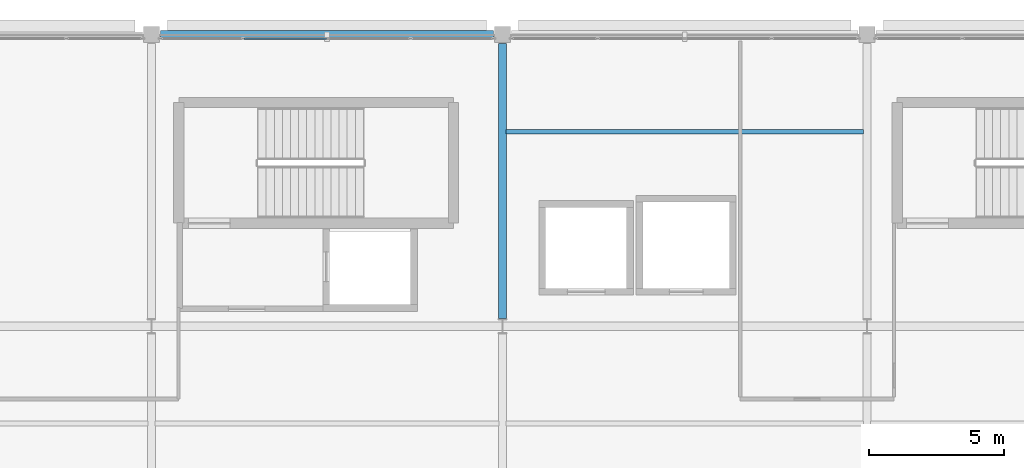
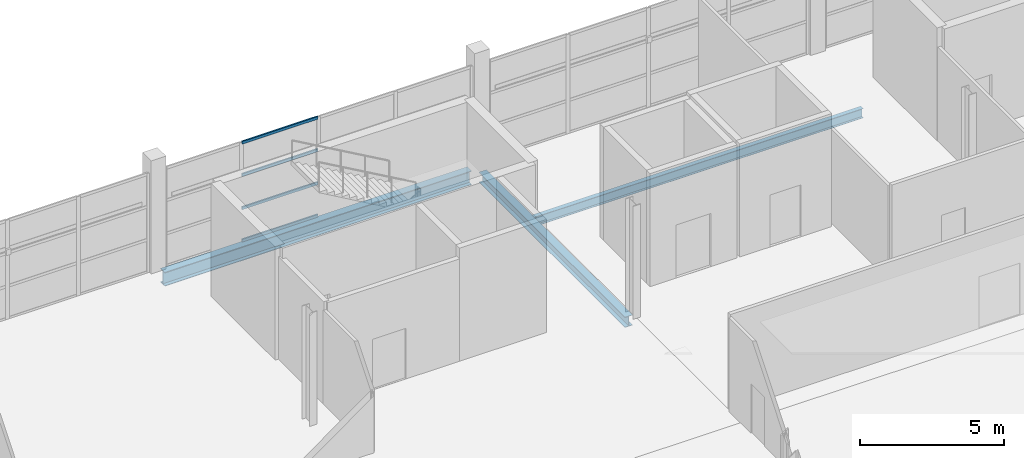
# One storey, part 103 of 134: 4 members, 3 beams, 1 element without a shape of its own.
"""IFC4 building model written with IfcOpenShell, lengths in metres."""

from ifc_helpers import new_model, si_unit, direction, frame, origin, origin_2d, place, context, subcontext, project, spatial, hollow_rectangle, i_section, extrude, material, layer, layer_set, material_profile, profile_set, type_object, element, aggregate, save


model = new_model("IFC4")

# Units and contexts
model_context = context("Model", 3, precision=1e-05, world=origin(), true_north=direction((0.0, 1.0)))
body_context = subcontext(model_context, "Body", "Model", "MODEL_VIEW")
ifc_project = project(units=[si_unit("LENGTHUNIT", "METRE"), si_unit("AREAUNIT", "SQUARE_METRE"), si_unit("VOLUMEUNIT", "CUBIC_METRE"), si_unit("PLANEANGLEUNIT", "RADIAN"), si_unit("MASSUNIT", "GRAM", prefix="KILO")], contexts=[model_context])

# Site, building, storey
site_placement = place(None, origin())
site = spatial("IfcSite", under=ifc_project, at=site_placement, CompositionType="ELEMENT")
building_placement = place(site_placement, origin())
building = spatial("IfcBuilding", under=site, at=building_placement, Name="Tamarisk Ironworks Central Station", CompositionType="ELEMENT")
storey_placement = place(building_placement, frame((0.0, 0.0, 12.60009765625)))
storey = spatial("IfcBuildingStorey", under=building, at=storey_placement, Name="L02", CompositionType="ELEMENT", Elevation=12.60009765625)

# Beams
ifc_material_1 = material(Name="Structural steel S355J2", Category="steel")
ifc_material_profile_1 = material_profile(ifc_material_1, i_section(OverallWidth=0.179931640625, OverallDepth=0.39990234375, WebThickness=0.008544921875, FlangeThickness=0.013427734375, at=origin_2d()), Name="IPE 400")
ifc_profile_set_1 = profile_set([ifc_material_profile_1], Name="Structural steel S355J2")
beam_type_1 = type_object("IfcBeamType", Name="BM-B04", PredefinedType="BEAM", material=ifc_profile_set_1)
beam_1_placement = place(storey_placement, frame((153.135009765625, 118.800048828125, -0.4501953125), z_axis=(1.0, 0.0, 0.0), x_axis=(0.0, 1.0, 0.0)))
element("IfcBeam", 1, at=beam_1_placement, inside=storey, type_object=beam_type_1, Name="L02 secondary composite beam 0173", PredefinedType="BEAM", context=body_context, shape_type="SweptSolid", body=[
    extrude(i_section(OverallWidth=0.179931640625, OverallDepth=0.39990234375, WebThickness=0.008544921875, FlangeThickness=0.013427734375, at=origin_2d()), origin(), (0.0, 0.0, 1.0), 13.22998046875),
])
ifc_material_profile_2 = material_profile(ifc_material_1, i_section(OverallWidth=0.300048828125, OverallDepth=0.590087890625, WebThickness=0.012939453125, FlangeThickness=0.02490234375, at=origin_2d()), Name="HEA 600")
ifc_profile_set_2 = profile_set([ifc_material_profile_2], Name="Structural steel S355J2")
beam_type_2 = type_object("IfcBeamType", Name="BM-G03", PredefinedType="BEAM", material=ifc_profile_set_2)
beam_2_placement = place(storey_placement, frame((140.337890625, 122.39990234375, -0.545166015625), z_axis=(1.0, 0.0, 0.0), x_axis=(0.0, 1.0, 0.0)))
element("IfcBeam", 2, at=beam_2_placement, inside=storey, type_object=beam_type_2, Name="L02 primary girder X-0413", PredefinedType="BEAM", context=body_context, shape_type="SweptSolid", body=[
    extrude(i_section(OverallWidth=0.300048828125, OverallDepth=0.590087890625, WebThickness=0.012939453125, FlangeThickness=0.02490234375, at=origin_2d()), origin(), (0.0, 0.0, 1.0), 12.32421875),
])
ifc_material_profile_3 = material_profile(ifc_material_1, i_section(OverallWidth=0.300048828125, OverallDepth=0.43994140625, WebThickness=0.011474609375, FlangeThickness=0.02099609375, at=origin_2d()), Name="HEA 450")
ifc_profile_set_3 = profile_set([ifc_material_profile_3], Name="Structural steel S355J2")
beam_type_3 = type_object("IfcBeamType", Name="BM-G06", PredefinedType="BEAM", material=ifc_profile_set_3)
beam_3_placement = place(storey_placement, frame((153.0, 111.887939453125, -0.47021484375), z_axis=(0.0, 1.0, 0.0), x_axis=(-1.0, 0.0, 0.0)))
element("IfcBeam", 3, at=beam_3_placement, inside=storey, type_object=beam_type_3, Name="L02 primary girder Y-0520", PredefinedType="BEAM", context=body_context, shape_type="SweptSolid", body=[
    extrude(i_section(OverallWidth=0.300048828125, OverallDepth=0.43994140625, WebThickness=0.011474609375, FlangeThickness=0.02099609375, at=origin_2d()), origin(), (0.0, 0.0, 1.0), 10.174072265625),
])

# Curtain wall, members
ifc_material_2 = material(Name="Anodized aluminium alloy 6063-T6", Category="aluminium")
ifc_layer = layer(ifc_material_2, 0.179931640625)
ifc_layer_set = layer_set([ifc_layer], Name="Anodized aluminium alloy 6063-T6")
curtain_wall_type = type_object("IfcCurtainWallType", Name="CW-17", PredefinedType="USERDEFINED", material=ifc_layer_set)
curtain_wall_placement = place(storey_placement, origin())
curtain_wall = element("IfcCurtainWall", 4, at=curtain_wall_placement, inside=storey, type_object=curtain_wall_type, Name="Operations L02 north facade curtain wall 140", ObjectType="GLAZED CURTAIN WALL", PredefinedType="USERDEFINED")
ifc_material_profile_4 = material_profile(ifc_material_2, hollow_rectangle(XDim=0.06005859375, YDim=0.114990234375, WallThickness=0.00341796875, at=origin_2d()), Name="ALUM 115x60")
ifc_profile_set_4 = profile_set([ifc_material_profile_4], Name="Anodized aluminium alloy 6063-T6")
member_type = type_object("IfcMemberType", Name="CWT-03", PredefinedType="USERDEFINED", material=ifc_profile_set_4)
member_1_placement = place(storey_placement, frame((143.425048828125, 122.25, 0.02978515625), z_axis=(1.0, 0.0, 0.0), x_axis=(0.0, 1.0, 0.0)))
member_1 = element("IfcMember", 5, at=member_1_placement, type_object=member_type, Name="CW17 transom 2.1", ObjectType="TRANSOM", PredefinedType="USERDEFINED", context=body_context, shape_type="SweptSolid", body=[
    extrude(hollow_rectangle(XDim=0.06005859375, YDim=0.114990234375, WallThickness=0.00341796875, at=origin_2d()), origin(), (0.0, 0.0, 1.0), 3.049072265625),
])
member_2_placement = place(storey_placement, frame((143.425048828125, 122.25, 1.406494140625), z_axis=(1.0, 0.0, 0.0), x_axis=(0.0, 1.0, 0.0)))
member_2 = element("IfcMember", 6, at=member_2_placement, type_object=member_type, Name="CW17 transom 2.2", ObjectType="TRANSOM", PredefinedType="USERDEFINED", context=body_context, shape_type="SweptSolid", body=[
    extrude(hollow_rectangle(XDim=0.06005859375, YDim=0.114990234375, WallThickness=0.00341796875, at=origin_2d()), origin(), (0.0, 0.0, 1.0), 3.049072265625),
])
member_3_placement = place(storey_placement, frame((143.425048828125, 122.25, 2.813232421875), z_axis=(1.0, 0.0, 0.0), x_axis=(0.0, 1.0, 0.0)))
member_3 = element("IfcMember", 7, at=member_3_placement, type_object=member_type, Name="CW17 transom 2.3", ObjectType="TRANSOM", PredefinedType="USERDEFINED", context=body_context, shape_type="SweptSolid", body=[
    extrude(hollow_rectangle(XDim=0.06005859375, YDim=0.114990234375, WallThickness=0.00341796875, at=origin_2d()), origin(), (0.0, 0.0, 1.0), 3.049072265625),
])
member_4_placement = place(storey_placement, frame((143.425048828125, 122.25, 4.18994140625), z_axis=(1.0, 0.0, 0.0), x_axis=(0.0, 1.0, 0.0)))
member_4 = element("IfcMember", 8, at=member_4_placement, type_object=member_type, Name="CW17 transom 2.4", ObjectType="TRANSOM", PredefinedType="USERDEFINED", context=body_context, shape_type="SweptSolid", body=[
    extrude(hollow_rectangle(XDim=0.06005859375, YDim=0.114990234375, WallThickness=0.00341796875, at=origin_2d()), origin(), (0.0, 0.0, 1.0), 3.049072265625),
])
aggregate(curtain_wall, [member_1, member_2, member_3, member_4])

save(model, "model.ifc")
